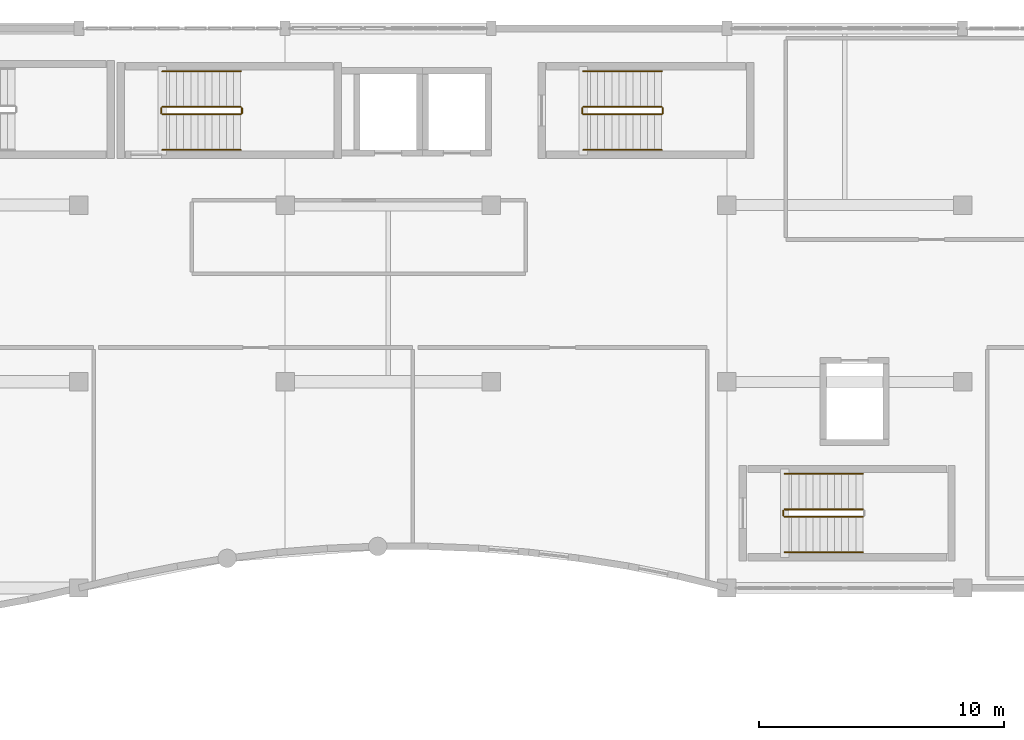
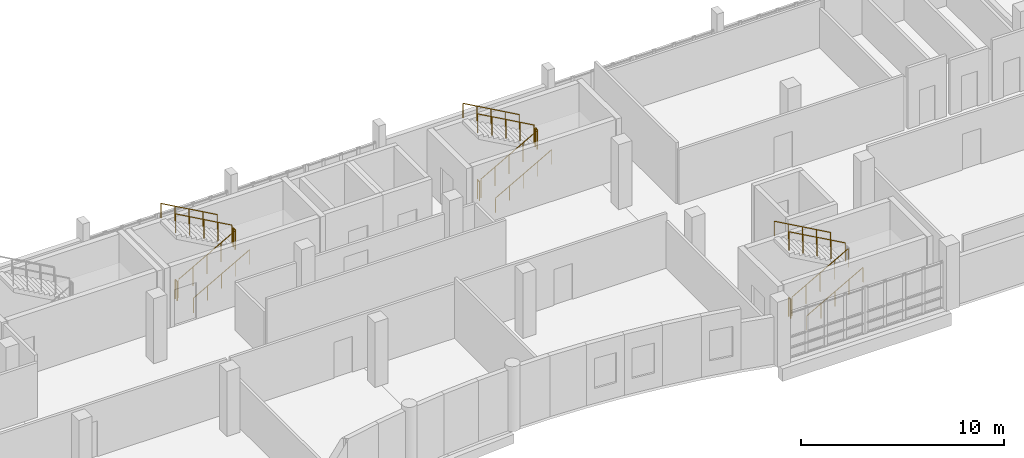
# One storey, part 186 of 188: 17 railings.
"""IFC4 building model written with IfcOpenShell, lengths in metres."""

from ifc_helpers import new_model, si_unit, direction, frame, origin, origin_2d, place, context, subcontext, project, spatial, circle, extrude, material, type_object, element, save


model = new_model("IFC4")

# Units and contexts
model_context = context("Model", 3, precision=1e-05, world=origin(), true_north=direction((0.0, 1.0)))
body_context = subcontext(model_context, "Body", "Model", "MODEL_VIEW")
ifc_project = project(units=[si_unit("LENGTHUNIT", "METRE"), si_unit("AREAUNIT", "SQUARE_METRE"), si_unit("VOLUMEUNIT", "CUBIC_METRE"), si_unit("PLANEANGLEUNIT", "RADIAN"), si_unit("MASSUNIT", "GRAM", prefix="KILO")], contexts=[model_context])

# Site, building, storey
site_placement = place(None, origin())
site = spatial("IfcSite", under=ifc_project, at=site_placement, CompositionType="ELEMENT")
building_placement = place(site_placement, origin())
building = spatial("IfcBuilding", under=site, at=building_placement, Name="Kisaragi Civic Commons", CompositionType="ELEMENT")
storey_placement = place(building_placement, frame((0.0, 0.0, 9.60009765625)))
storey = spatial("IfcBuildingStorey", under=building, at=storey_placement, Name="L02", CompositionType="ELEMENT", Elevation=9.60009765625)

# Railings
ifc_material = material(Name="Powder-coated architectural steel and hinoki cap rail", Category="steel")
railing_type_1 = type_object("IfcRailingType", Name="GRD-S1", PredefinedType="GUARDRAIL", material=ifc_material)
railing_1_placement = place(storey_placement, frame((100.60009765625, 115.300048828125, 0.162353515625)))
element("IfcRailing", 1, at=railing_1_placement, inside=storey, type_object=railing_type_1, Name="L02 ST-L1 stair guard 1", PredefinedType="GUARDRAIL", context=body_context, shape_type="SweptSolid", body=[
    extrude(circle(Radius=0.02392578125, at=origin_2d()), frame((0.0, 0.0, 1.1259765625), z_axis=(0.8723625253, 0.0, 0.488859514025), x_axis=(0.0, 1.0, 0.0)), (0.0, 0.0, 1.0), 3.65673828125),
    extrude(circle(Radius=0.02099609375, at=origin_2d()), origin(), (0.0, 0.0, 1.0), 1.101806640625),
    extrude(circle(Radius=0.02099609375, at=origin_2d()), frame((0.79736328125, 0.0, 0.44677734375)), (0.0, 0.0, 1.0), 1.101806640625),
    extrude(circle(Radius=0.02099609375, at=origin_2d()), frame((1.594970703125, 0.0, 0.893798828125)), (0.0, 0.0, 1.0), 1.101806640625),
    extrude(circle(Radius=0.02099609375, at=origin_2d()), frame((2.392578125, 0.0, 1.3408203125)), (0.0, 0.0, 1.0), 1.101806640625),
    extrude(circle(Radius=0.02099609375, at=origin_2d()), frame((3.18994140625, 0.0, 1.78759765625)), (0.0, 0.0, 1.0), 1.101806640625),
])
railing_2_placement = place(storey_placement, frame((103.840087890625, 115.35009765625, 1.949951171875)))
element("IfcRailing", 2, at=railing_2_placement, inside=storey, type_object=railing_type_1, Name="L02 ST-L1 stair guard 2", PredefinedType="GUARDRAIL", context=body_context, shape_type="SweptSolid", body=[
    extrude(circle(Radius=0.02392578125, at=origin_2d()), frame((0.0, 0.0, 1.1259765625), z_axis=(0.0, 1.0, 0.0), x_axis=(-1.0, 0.0, 0.0)), (0.0, 0.0, 1.0), 0.199951171875),
    extrude(circle(Radius=0.02099609375, at=origin_2d()), origin(), (0.0, 0.0, 1.0), 1.101806640625),
    extrude(circle(Radius=0.02099609375, at=origin_2d()), frame((0.0, 0.199951171875, 0.0)), (0.0, 0.0, 1.0), 1.101806640625),
])
railing_3_placement = place(storey_placement, frame((103.7900390625, 115.60009765625, 2.1123046875)))
element("IfcRailing", 3, at=railing_3_placement, inside=storey, type_object=railing_type_1, Name="L02 ST-L1 stair guard 3", PredefinedType="GUARDRAIL", context=body_context, shape_type="SweptSolid", body=[
    extrude(circle(Radius=0.02392578125, at=origin_2d()), frame((0.0, 0.0, 1.1259765625), z_axis=(-0.8723625253, 0.0, 0.488859514025), x_axis=(0.0, -1.0, 0.0)), (0.0, 0.0, 1.0), 3.65673828125),
    extrude(circle(Radius=0.02099609375, at=origin_2d()), origin(), (0.0, 0.0, 1.0), 1.101806640625),
    extrude(circle(Radius=0.02099609375, at=origin_2d()), frame((-0.79736328125, 0.0, 0.44677734375)), (0.0, 0.0, 1.0), 1.101806640625),
    extrude(circle(Radius=0.02099609375, at=origin_2d()), frame((-1.594970703125, 0.0, 0.893798828125)), (0.0, 0.0, 1.0), 1.101806640625),
    extrude(circle(Radius=0.02099609375, at=origin_2d()), frame((-2.392578125, 0.0, 1.3408203125)), (0.0, 0.0, 1.0), 1.101806640625),
    extrude(circle(Radius=0.02099609375, at=origin_2d()), frame((-3.18994140625, 0.0, 1.78759765625)), (0.0, 0.0, 1.0), 1.101806640625),
])
railing_4_placement = place(storey_placement, frame((100.550048828125, 115.35009765625, 0.0)))
element("IfcRailing", 4, at=railing_4_placement, inside=storey, type_object=railing_type_1, Name="L02 ST-L1 stair guard 4", PredefinedType="GUARDRAIL", context=body_context, shape_type="SweptSolid", body=[
    extrude(circle(Radius=0.02392578125, at=origin_2d()), frame((0.0, 0.0, 1.1259765625), z_axis=(0.0, 1.0, 0.0), x_axis=(-1.0, 0.0, 0.0)), (0.0, 0.0, 1.0), 0.199951171875),
    extrude(circle(Radius=0.02099609375, at=origin_2d()), origin(), (0.0, 0.0, 1.0), 1.101806640625),
    extrude(circle(Radius=0.02099609375, at=origin_2d()), frame((0.0, 0.199951171875, 0.0)), (0.0, 0.0, 1.0), 1.101806640625),
])
railing_5_placement = place(storey_placement, frame((117.75, 115.300048828125, 0.162353515625)))
element("IfcRailing", 5, at=railing_5_placement, inside=storey, type_object=railing_type_1, Name="L02 ST-L2 stair guard 1", PredefinedType="GUARDRAIL", context=body_context, shape_type="SweptSolid", body=[
    extrude(circle(Radius=0.02392578125, at=origin_2d()), frame((0.0, 0.0, 1.1259765625), z_axis=(0.8723625253, 0.0, 0.488859514025), x_axis=(0.0, 1.0, 0.0)), (0.0, 0.0, 1.0), 3.65673828125),
    extrude(circle(Radius=0.02099609375, at=origin_2d()), origin(), (0.0, 0.0, 1.0), 1.101806640625),
    extrude(circle(Radius=0.02099609375, at=origin_2d()), frame((0.79736328125, 0.0, 0.44677734375)), (0.0, 0.0, 1.0), 1.101806640625),
    extrude(circle(Radius=0.02099609375, at=origin_2d()), frame((1.594970703125, 0.0, 0.893798828125)), (0.0, 0.0, 1.0), 1.101806640625),
    extrude(circle(Radius=0.02099609375, at=origin_2d()), frame((2.392578125, 0.0, 1.3408203125)), (0.0, 0.0, 1.0), 1.101806640625),
    extrude(circle(Radius=0.02099609375, at=origin_2d()), frame((3.18994140625, 0.0, 1.78759765625)), (0.0, 0.0, 1.0), 1.101806640625),
])
railing_6_placement = place(storey_placement, frame((120.989990234375, 115.35009765625, 1.949951171875)))
element("IfcRailing", 6, at=railing_6_placement, inside=storey, type_object=railing_type_1, Name="L02 ST-L2 stair guard 2", PredefinedType="GUARDRAIL", context=body_context, shape_type="SweptSolid", body=[
    extrude(circle(Radius=0.02392578125, at=origin_2d()), frame((0.0, 0.0, 1.1259765625), z_axis=(0.0, 1.0, 0.0), x_axis=(-1.0, 0.0, 0.0)), (0.0, 0.0, 1.0), 0.199951171875),
    extrude(circle(Radius=0.02099609375, at=origin_2d()), origin(), (0.0, 0.0, 1.0), 1.101806640625),
    extrude(circle(Radius=0.02099609375, at=origin_2d()), frame((0.0, 0.199951171875, 0.0)), (0.0, 0.0, 1.0), 1.101806640625),
])
railing_7_placement = place(storey_placement, frame((120.93994140625, 115.60009765625, 2.1123046875)))
element("IfcRailing", 7, at=railing_7_placement, inside=storey, type_object=railing_type_1, Name="L02 ST-L2 stair guard 3", PredefinedType="GUARDRAIL", context=body_context, shape_type="SweptSolid", body=[
    extrude(circle(Radius=0.02392578125, at=origin_2d()), frame((0.0, 0.0, 1.1259765625), z_axis=(-0.8723625253, 0.0, 0.488859514025), x_axis=(0.0, -1.0, 0.0)), (0.0, 0.0, 1.0), 3.65673828125),
    extrude(circle(Radius=0.02099609375, at=origin_2d()), origin(), (0.0, 0.0, 1.0), 1.101806640625),
    extrude(circle(Radius=0.02099609375, at=origin_2d()), frame((-0.79736328125, 0.0, 0.44677734375)), (0.0, 0.0, 1.0), 1.101806640625),
    extrude(circle(Radius=0.02099609375, at=origin_2d()), frame((-1.594970703125, 0.0, 0.893798828125)), (0.0, 0.0, 1.0), 1.101806640625),
    extrude(circle(Radius=0.02099609375, at=origin_2d()), frame((-2.392578125, 0.0, 1.3408203125)), (0.0, 0.0, 1.0), 1.101806640625),
    extrude(circle(Radius=0.02099609375, at=origin_2d()), frame((-3.18994140625, 0.0, 1.78759765625)), (0.0, 0.0, 1.0), 1.101806640625),
])
railing_8_placement = place(storey_placement, frame((117.699951171875, 115.35009765625, 0.0)))
element("IfcRailing", 8, at=railing_8_placement, inside=storey, type_object=railing_type_1, Name="L02 ST-L2 stair guard 4", PredefinedType="GUARDRAIL", context=body_context, shape_type="SweptSolid", body=[
    extrude(circle(Radius=0.02392578125, at=origin_2d()), frame((0.0, 0.0, 1.1259765625), z_axis=(0.0, 1.0, 0.0), x_axis=(-1.0, 0.0, 0.0)), (0.0, 0.0, 1.0), 0.199951171875),
    extrude(circle(Radius=0.02099609375, at=origin_2d()), origin(), (0.0, 0.0, 1.0), 1.101806640625),
    extrude(circle(Radius=0.02099609375, at=origin_2d()), frame((0.0, 0.199951171875, 0.0)), (0.0, 0.0, 1.0), 1.101806640625),
])
railing_9_placement = place(storey_placement, frame((125.949951171875, 98.89990234375, 0.162353515625)))
element("IfcRailing", 9, at=railing_9_placement, inside=storey, type_object=railing_type_1, Name="L02 ST-L3 stair guard 1", PredefinedType="GUARDRAIL", context=body_context, shape_type="SweptSolid", body=[
    extrude(circle(Radius=0.02392578125, at=origin_2d()), frame((0.0, 0.0, 1.1259765625), z_axis=(0.8723625253, 0.0, 0.488859514025), x_axis=(0.0, 1.0, 0.0)), (0.0, 0.0, 1.0), 3.65673828125),
    extrude(circle(Radius=0.02099609375, at=origin_2d()), origin(), (0.0, 0.0, 1.0), 1.101806640625),
    extrude(circle(Radius=0.02099609375, at=origin_2d()), frame((0.79736328125, 0.0, 0.44677734375)), (0.0, 0.0, 1.0), 1.101806640625),
    extrude(circle(Radius=0.02099609375, at=origin_2d()), frame((1.594970703125, 0.0, 0.893798828125)), (0.0, 0.0, 1.0), 1.101806640625),
    extrude(circle(Radius=0.02099609375, at=origin_2d()), frame((2.392578125, 0.0, 1.3408203125)), (0.0, 0.0, 1.0), 1.101806640625),
    extrude(circle(Radius=0.02099609375, at=origin_2d()), frame((3.18994140625, 0.0, 1.78759765625)), (0.0, 0.0, 1.0), 1.101806640625),
])
railing_10_placement = place(storey_placement, frame((129.139892578125, 99.199951171875, 2.1123046875)))
element("IfcRailing", 10, at=railing_10_placement, inside=storey, type_object=railing_type_1, Name="L02 ST-L3 stair guard 3", PredefinedType="GUARDRAIL", context=body_context, shape_type="SweptSolid", body=[
    extrude(circle(Radius=0.02392578125, at=origin_2d()), frame((0.0, 0.0, 1.1259765625), z_axis=(-0.8723625253, 0.0, 0.488859514025), x_axis=(0.0, -1.0, 0.0)), (0.0, 0.0, 1.0), 3.65673828125),
    extrude(circle(Radius=0.02099609375, at=origin_2d()), origin(), (0.0, 0.0, 1.0), 1.101806640625),
    extrude(circle(Radius=0.02099609375, at=origin_2d()), frame((-0.79736328125, 0.0, 0.44677734375)), (0.0, 0.0, 1.0), 1.101806640625),
    extrude(circle(Radius=0.02099609375, at=origin_2d()), frame((-1.594970703125, 0.0, 0.893798828125)), (0.0, 0.0, 1.0), 1.101806640625),
    extrude(circle(Radius=0.02099609375, at=origin_2d()), frame((-2.392578125, 0.0, 1.3408203125)), (0.0, 0.0, 1.0), 1.101806640625),
    extrude(circle(Radius=0.02099609375, at=origin_2d()), frame((-3.18994140625, 0.0, 1.78759765625)), (0.0, 0.0, 1.0), 1.101806640625),
])
railing_11_placement = place(storey_placement, frame((125.89990234375, 98.949951171875, 0.0)))
element("IfcRailing", 11, at=railing_11_placement, inside=storey, type_object=railing_type_1, Name="L02 ST-L3 stair guard 4", PredefinedType="GUARDRAIL", context=body_context, shape_type="SweptSolid", body=[
    extrude(circle(Radius=0.02392578125, at=origin_2d()), frame((0.0, 0.0, 1.1259765625), z_axis=(0.0, 1.0, 0.0), x_axis=(-1.0, 0.0, 0.0)), (0.0, 0.0, 1.0), 0.199951171875),
    extrude(circle(Radius=0.02099609375, at=origin_2d()), origin(), (0.0, 0.0, 1.0), 1.101806640625),
    extrude(circle(Radius=0.02099609375, at=origin_2d()), frame((0.0, 0.199951171875, 0.0)), (0.0, 0.0, 1.0), 1.101806640625),
])
railing_type_2 = type_object("IfcRailingType", Name="HRL-01", PredefinedType="HANDRAIL", material=ifc_material)
railing_12_placement = place(storey_placement, frame((100.60009765625, 113.85009765625, 0.162353515625)))
element("IfcRailing", 12, at=railing_12_placement, inside=storey, type_object=railing_type_2, Name="L02 ST-L1 stair handrail 1", PredefinedType="HANDRAIL", context=body_context, shape_type="SweptSolid", body=[
    extrude(circle(Radius=0.02392578125, at=origin_2d()), frame((0.0, 0.0, 0.8759765625), z_axis=(0.8723625253, 0.0, 0.488859514025), x_axis=(0.0, 1.0, 0.0)), (0.0, 0.0, 1.0), 3.65673828125),
    extrude(circle(Radius=0.02099609375, at=origin_2d()), origin(), (0.0, 0.0, 1.0), 0.851806640625),
    extrude(circle(Radius=0.02099609375, at=origin_2d()), frame((0.79736328125, 0.0, 0.44677734375)), (0.0, 0.0, 1.0), 0.851806640625),
    extrude(circle(Radius=0.02099609375, at=origin_2d()), frame((1.594970703125, 0.0, 0.893798828125)), (0.0, 0.0, 1.0), 0.851806640625),
    extrude(circle(Radius=0.02099609375, at=origin_2d()), frame((2.392578125, 0.0, 1.3408203125)), (0.0, 0.0, 1.0), 0.851806640625),
    extrude(circle(Radius=0.02099609375, at=origin_2d()), frame((3.18994140625, 0.0, 1.78759765625)), (0.0, 0.0, 1.0), 0.851806640625),
])
railing_13_placement = place(storey_placement, frame((103.7900390625, 117.050048828125, 2.1123046875)))
element("IfcRailing", 13, at=railing_13_placement, inside=storey, type_object=railing_type_2, Name="L02 ST-L1 stair handrail 2", PredefinedType="HANDRAIL", context=body_context, shape_type="SweptSolid", body=[
    extrude(circle(Radius=0.02392578125, at=origin_2d()), frame((0.0, 0.0, 0.8759765625), z_axis=(-0.8723625253, 0.0, 0.488859514025), x_axis=(0.0, -1.0, 0.0)), (0.0, 0.0, 1.0), 3.65673828125),
    extrude(circle(Radius=0.02099609375, at=origin_2d()), origin(), (0.0, 0.0, 1.0), 0.851806640625),
    extrude(circle(Radius=0.02099609375, at=origin_2d()), frame((-0.79736328125, 0.0, 0.44677734375)), (0.0, 0.0, 1.0), 0.851806640625),
    extrude(circle(Radius=0.02099609375, at=origin_2d()), frame((-1.594970703125, 0.0, 0.893798828125)), (0.0, 0.0, 1.0), 0.851806640625),
    extrude(circle(Radius=0.02099609375, at=origin_2d()), frame((-2.392578125, 0.0, 1.3408203125)), (0.0, 0.0, 1.0), 0.851806640625),
    extrude(circle(Radius=0.02099609375, at=origin_2d()), frame((-3.18994140625, 0.0, 1.78759765625)), (0.0, 0.0, 1.0), 0.851806640625),
])
railing_14_placement = place(storey_placement, frame((117.75, 113.85009765625, 0.162353515625)))
element("IfcRailing", 14, at=railing_14_placement, inside=storey, type_object=railing_type_2, Name="L02 ST-L2 stair handrail 1", PredefinedType="HANDRAIL", context=body_context, shape_type="SweptSolid", body=[
    extrude(circle(Radius=0.02392578125, at=origin_2d()), frame((0.0, 0.0, 0.8759765625), z_axis=(0.8723625253, 0.0, 0.488859514025), x_axis=(0.0, 1.0, 0.0)), (0.0, 0.0, 1.0), 3.65673828125),
    extrude(circle(Radius=0.02099609375, at=origin_2d()), origin(), (0.0, 0.0, 1.0), 0.851806640625),
    extrude(circle(Radius=0.02099609375, at=origin_2d()), frame((0.79736328125, 0.0, 0.44677734375)), (0.0, 0.0, 1.0), 0.851806640625),
    extrude(circle(Radius=0.02099609375, at=origin_2d()), frame((1.594970703125, 0.0, 0.893798828125)), (0.0, 0.0, 1.0), 0.851806640625),
    extrude(circle(Radius=0.02099609375, at=origin_2d()), frame((2.392578125, 0.0, 1.3408203125)), (0.0, 0.0, 1.0), 0.851806640625),
    extrude(circle(Radius=0.02099609375, at=origin_2d()), frame((3.18994140625, 0.0, 1.78759765625)), (0.0, 0.0, 1.0), 0.851806640625),
])
railing_15_placement = place(storey_placement, frame((120.93994140625, 117.050048828125, 2.1123046875)))
element("IfcRailing", 15, at=railing_15_placement, inside=storey, type_object=railing_type_2, Name="L02 ST-L2 stair handrail 2", PredefinedType="HANDRAIL", context=body_context, shape_type="SweptSolid", body=[
    extrude(circle(Radius=0.02392578125, at=origin_2d()), frame((0.0, 0.0, 0.8759765625), z_axis=(-0.8723625253, 0.0, 0.488859514025), x_axis=(0.0, -1.0, 0.0)), (0.0, 0.0, 1.0), 3.65673828125),
    extrude(circle(Radius=0.02099609375, at=origin_2d()), origin(), (0.0, 0.0, 1.0), 0.851806640625),
    extrude(circle(Radius=0.02099609375, at=origin_2d()), frame((-0.79736328125, 0.0, 0.44677734375)), (0.0, 0.0, 1.0), 0.851806640625),
    extrude(circle(Radius=0.02099609375, at=origin_2d()), frame((-1.594970703125, 0.0, 0.893798828125)), (0.0, 0.0, 1.0), 0.851806640625),
    extrude(circle(Radius=0.02099609375, at=origin_2d()), frame((-2.392578125, 0.0, 1.3408203125)), (0.0, 0.0, 1.0), 0.851806640625),
    extrude(circle(Radius=0.02099609375, at=origin_2d()), frame((-3.18994140625, 0.0, 1.78759765625)), (0.0, 0.0, 1.0), 0.851806640625),
])
railing_16_placement = place(storey_placement, frame((125.949951171875, 97.449951171875, 0.162353515625)))
element("IfcRailing", 16, at=railing_16_placement, inside=storey, type_object=railing_type_2, Name="L02 ST-L3 stair handrail 1", PredefinedType="HANDRAIL", context=body_context, shape_type="SweptSolid", body=[
    extrude(circle(Radius=0.02392578125, at=origin_2d()), frame((0.0, 0.0, 0.8759765625), z_axis=(0.8723625253, 0.0, 0.488859514025), x_axis=(0.0, 1.0, 0.0)), (0.0, 0.0, 1.0), 3.65673828125),
    extrude(circle(Radius=0.02099609375, at=origin_2d()), origin(), (0.0, 0.0, 1.0), 0.851806640625),
    extrude(circle(Radius=0.02099609375, at=origin_2d()), frame((0.79736328125, 0.0, 0.44677734375)), (0.0, 0.0, 1.0), 0.851806640625),
    extrude(circle(Radius=0.02099609375, at=origin_2d()), frame((1.594970703125, 0.0, 0.893798828125)), (0.0, 0.0, 1.0), 0.851806640625),
    extrude(circle(Radius=0.02099609375, at=origin_2d()), frame((2.392578125, 0.0, 1.3408203125)), (0.0, 0.0, 1.0), 0.851806640625),
    extrude(circle(Radius=0.02099609375, at=origin_2d()), frame((3.18994140625, 0.0, 1.78759765625)), (0.0, 0.0, 1.0), 0.851806640625),
])
railing_17_placement = place(storey_placement, frame((129.139892578125, 100.64990234375, 2.1123046875)))
element("IfcRailing", 17, at=railing_17_placement, inside=storey, type_object=railing_type_2, Name="L02 ST-L3 stair handrail 2", PredefinedType="HANDRAIL", context=body_context, shape_type="SweptSolid", body=[
    extrude(circle(Radius=0.02392578125, at=origin_2d()), frame((0.0, 0.0, 0.8759765625), z_axis=(-0.8723625253, 0.0, 0.488859514025), x_axis=(0.0, -1.0, 0.0)), (0.0, 0.0, 1.0), 3.65673828125),
    extrude(circle(Radius=0.02099609375, at=origin_2d()), origin(), (0.0, 0.0, 1.0), 0.851806640625),
    extrude(circle(Radius=0.02099609375, at=origin_2d()), frame((-0.79736328125, 0.0, 0.44677734375)), (0.0, 0.0, 1.0), 0.851806640625),
    extrude(circle(Radius=0.02099609375, at=origin_2d()), frame((-1.594970703125, 0.0, 0.893798828125)), (0.0, 0.0, 1.0), 0.851806640625),
    extrude(circle(Radius=0.02099609375, at=origin_2d()), frame((-2.392578125, 0.0, 1.3408203125)), (0.0, 0.0, 1.0), 0.851806640625),
    extrude(circle(Radius=0.02099609375, at=origin_2d()), frame((-3.18994140625, 0.0, 1.78759765625)), (0.0, 0.0, 1.0), 0.851806640625),
])

save(model, "model.ifc")
